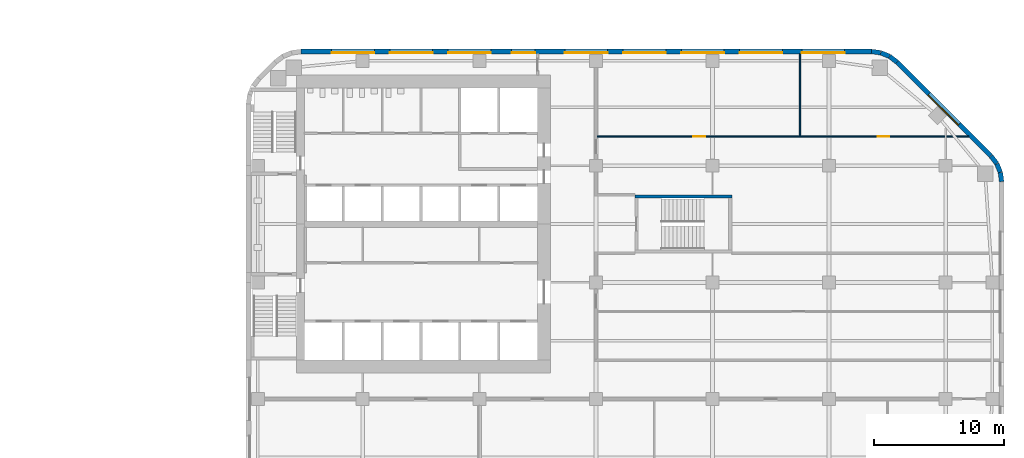
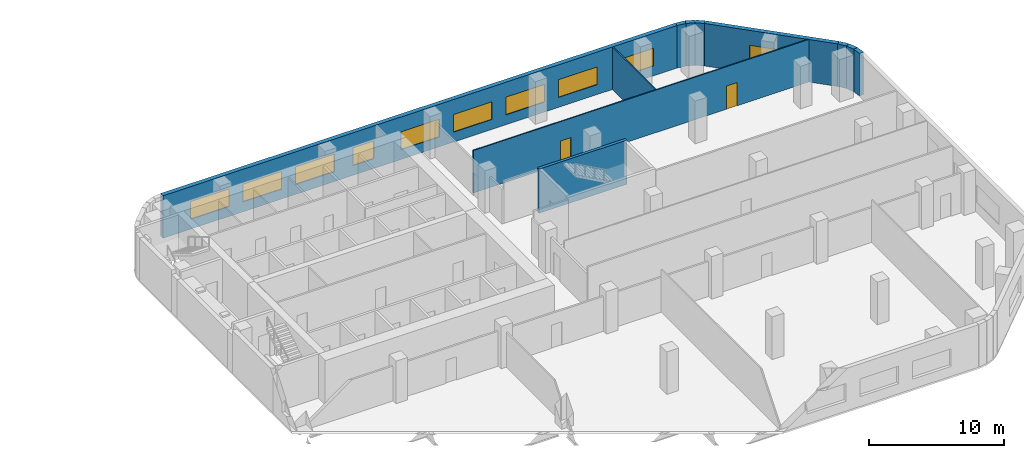
# One storey, part 11 of 15: 11 walls, 10 windows, 2 doors, 12 openings.
"""IFC4 building model written with IfcOpenShell, lengths in metres."""

import ifcopenshell
import ifcopenshell.guid

model = None  # the IFC model being written
_history = None  # IfcOwnerHistory: only IFC2X3 demands one
_inside = {}  # id of a spatial element -> (the spatial element, [elements in it])
_under = {}  # id of a project, library or spatial element -> (it, [spatial elements below it])
_declared = {}  # id of a project -> (the project, [libraries it declares])
_typed = {}  # id of a type object -> (the type object, [elements of that type])
_made_of = {}  # id of a material, layer set ... -> (it, [elements and type objects made of it])


def new_model(schema):
    """Start an empty IFC model of exactly this schema.

    Asked for "IFC4X3", IfcOpenShell would pick the latest addendum, in which some entities
    have other attributes; the version numbers below select the first issue.
    IFC2X3 requires an IfcOwnerHistory on every rooted entity: one is made here for all.
    """
    global model, _history
    if schema == "IFC4X3":
        model = ifcopenshell.file(schema_version=(4, 3, 0, 0))
    else:
        model = ifcopenshell.file(schema=schema)
    _inside.clear()
    _under.clear()
    _declared.clear()
    _typed.clear()
    _made_of.clear()
    _history = None
    if model.schema == "IFC2X3":
        org = make("IfcOrganization", Name="unknown")
        user = make(
            "IfcPersonAndOrganization",
            ThePerson=make("IfcPerson", FamilyName="unknown"),
            TheOrganization=org,
        )
        app = make(
            "IfcApplication",
            ApplicationDeveloper=org,
            Version="unknown",
            ApplicationFullName="unknown",
            ApplicationIdentifier="unknown",
        )
        _history = make(
            "IfcOwnerHistory",
            OwningUser=user,
            OwningApplication=app,
            ChangeAction="ADDED",
            CreationDate=0,
        )
    return model


def make(cls, **values):
    """One entity of the class cls with the attributes given. An attribute that is None is left unset."""
    return model.create_entity(
        cls, **{name: value for name, value in values.items() if value is not None}
    )


def rooted(cls, **values):
    """An entity with a GlobalId (a new one), such as an element, a storey or a relation."""
    return make(cls, GlobalId=ifcopenshell.guid.new(), OwnerHistory=_history, **values)


def si_unit(unit_type, name, prefix=None):
    """IfcSIUnit, for example si_unit("LENGTHUNIT", "METRE", prefix="MILLI")."""
    return make("IfcSIUnit", UnitType=unit_type, Prefix=prefix, Name=name)


def assignment(units):
    """IfcUnitAssignment: the units of a project."""
    return None if units is None else make("IfcUnitAssignment", Units=units)


def point(xyz):
    """IfcCartesianPoint."""
    return None if xyz is None else make("IfcCartesianPoint", Coordinates=xyz)


def direction(xyz):
    """IfcDirection."""
    return None if xyz is None else make("IfcDirection", DirectionRatios=xyz)


def frame(location, z_axis=None, x_axis=None):
    """IfcAxis2Placement3D, a coordinate frame: its origin and axes. An axis left out is left unset."""
    return make(
        "IfcAxis2Placement3D",
        Location=point(location),
        Axis=direction(z_axis),
        RefDirection=direction(x_axis),
    )


def frame_2d(location, x_axis=None):
    """IfcAxis2Placement2D, a coordinate frame in the plane: its origin and x axis."""
    return make(
        "IfcAxis2Placement2D", Location=point(location), RefDirection=direction(x_axis)
    )


def origin():
    """The frame at (0, 0, 0) with its axes left unset."""
    return frame((0.0, 0.0, 0.0))


def place(relative_to, where):
    """IfcLocalPlacement: puts the frame where relative to a parent placement (None: the world)."""
    return make(
        "IfcLocalPlacement", PlacementRelTo=relative_to, RelativePlacement=where
    )


def context(
    kind, dimensions, precision=None, world=None, true_north=None, identifier=None
):
    """IfcGeometricRepresentationContext, for example the 3D "Model" context."""
    return make(
        "IfcGeometricRepresentationContext",
        ContextIdentifier=identifier,
        ContextType=kind,
        CoordinateSpaceDimension=dimensions,
        Precision=precision,
        WorldCoordinateSystem=world,
        TrueNorth=true_north,
    )


def subcontext(parent, identifier, kind, view, scale=None):
    """IfcGeometricRepresentationSubContext, for example "Body" below "Model"."""
    return make(
        "IfcGeometricRepresentationSubContext",
        ContextIdentifier=identifier,
        ContextType=kind,
        ParentContext=parent,
        TargetScale=scale,
        TargetView=view,
    )


def project(units=None, contexts=None):
    """IfcProject with its units and contexts."""
    return rooted(
        "IfcProject",
        Name="project",
        RepresentationContexts=contexts,
        UnitsInContext=assignment(units),
    )


def spatial(cls, under=None, at=None, **own):
    """A site, building, storey or space (cls), placed at a placement, below another one or the project."""
    s = rooted(cls, ObjectPlacement=at, **own)
    if under is not None:
        _under.setdefault(under.id(), (under, []))[1].append(s)
    return s


def profile(cls, at=None, kind="AREA", **sizes):
    """A parametric profile (cls). Its sizes go by their IFC names, for example OverallWidth=200.0."""
    return make(cls, ProfileType=kind, Position=at, **sizes)


def rectangle(**sizes):
    """IfcRectangleProfileDef."""
    return profile("IfcRectangleProfileDef", **sizes)


def extrude(swept, where, along, depth):
    """IfcExtrudedAreaSolid: the profile swept, set in the frame where, extruded along a direction by depth."""
    return make(
        "IfcExtrudedAreaSolid",
        SweptArea=swept,
        Position=where,
        ExtrudedDirection=direction(along),
        Depth=depth,
    )


def shape(context_of_items, identifier, shape_type, items):
    """IfcShapeRepresentation: the items that make up one representation, for example the "Body"."""
    return make(
        "IfcShapeRepresentation",
        ContextOfItems=context_of_items,
        RepresentationIdentifier=identifier,
        RepresentationType=shape_type,
        Items=items,
    )


def material(Name=None, Category=None):
    """IfcMaterial."""
    return make("IfcMaterial", Name=Name, Category=Category)


def layer(
    of_material, thickness, ventilated=None, Name=None, Category=None, Priority=None
):
    """IfcMaterialLayer: one layer of a wall or slab, of a material (None: an air gap)."""
    return make(
        "IfcMaterialLayer",
        Material=of_material,
        LayerThickness=thickness,
        IsVentilated=ventilated,
        Name=Name,
        Category=Category,
        Priority=Priority,
    )


def layer_set(layers, Name=None):
    """IfcMaterialLayerSet."""
    return make("IfcMaterialLayerSet", MaterialLayers=layers, LayerSetName=Name)


def made_of(thing, what):
    """Note that an element or type object is made of a material, layer set ...; save() writes the relation."""
    if what is not None:
        _made_of.setdefault(what.id(), (what, []))[1].append(thing)
    return thing


def type_object(cls, material=None, **own):
    """A type object (cls), such as IfcWallType, which elements share."""
    return made_of(rooted(cls, **own), material)


def element(
    cls,
    number,
    at=None,
    inside=None,
    cuts=None,
    type_object=None,
    material=None,
    context=None,
    identifier="Body",
    shape_type=None,
    held_by="IfcProductDefinitionShape",
    body=None,
    shapes=None,
    **own,
):
    """One element of the class cls, such as IfcWall. Its Tag is "e" and its number.

    at: its placement. inside: the storey or other place that contains it. cuts: it is an
    opening in that element (IfcRelVoidsElement). A single representation is given by context,
    identifier, shape_type and body (its items); several are given by shapes. held_by: the class
    of the entity that holds the representations. save() writes the other relations.
    """
    e = rooted(cls, Tag="e%d" % number, ObjectPlacement=at, **own)
    if body is not None:
        shapes = [shape(context, identifier, shape_type, body)]
    if shapes is not None:
        e.Representation = make(held_by, Representations=shapes)
    if inside is not None:
        _inside.setdefault(inside.id(), (inside, []))[1].append(e)
    if cuts is not None:
        rooted(
            "IfcRelVoidsElement", RelatingBuildingElement=cuts, RelatedOpeningElement=e
        )
    if type_object is not None:
        _typed.setdefault(type_object.id(), (type_object, []))[1].append(e)
    return made_of(e, material)


def fill(opening, filler):
    """IfcRelFillsElement: the door or window that sits in an opening."""
    return rooted(
        "IfcRelFillsElement",
        RelatingOpeningElement=opening,
        RelatedBuildingElement=filler,
    )


def aggregate(whole, parts):
    """IfcRelAggregates: a whole, such as a stair, and the parts it consists of."""
    return rooted("IfcRelAggregates", RelatingObject=whole, RelatedObjects=parts)


def save(model, path):
    """Write the relations noted so far, then the file.

    IfcRelAggregates (storeys below a building ...), IfcRelContainedInSpatialStructure (elements
    in a storey), IfcRelDefinesByType, IfcRelAssociatesMaterial and IfcRelDeclares: one each for
    every whole, place, type object, material and project.
    """
    for whole, parts in _under.values():
        aggregate(whole, parts)
    for where, things in _inside.values():
        rooted(
            "IfcRelContainedInSpatialStructure",
            RelatedElements=things,
            RelatingStructure=where,
        )
    for kind, things in _typed.values():
        rooted("IfcRelDefinesByType", RelatedObjects=things, RelatingType=kind)
    for what, things in _made_of.values():
        rooted("IfcRelAssociatesMaterial", RelatedObjects=things, RelatingMaterial=what)
    for by, libraries in _declared.values():
        rooted("IfcRelDeclares", RelatingContext=by, RelatedDefinitions=libraries)
    model.write(path)


model = new_model("IFC4")

# Units and contexts
model_context = context("Model", 3, precision=1e-05, world=origin(), true_north=direction((0.0, 1.0)))
body_context = subcontext(model_context, "Body", "Model", "MODEL_VIEW")
ifc_project = project(units=[si_unit("LENGTHUNIT", "METRE"), si_unit("AREAUNIT", "SQUARE_METRE"), si_unit("VOLUMEUNIT", "CUBIC_METRE"), si_unit("PLANEANGLEUNIT", "RADIAN"), si_unit("MASSUNIT", "GRAM", prefix="KILO")], contexts=[model_context])

# Site, building, storey
site_placement = place(None, origin())
site = spatial("IfcSite", under=ifc_project, at=site_placement, CompositionType="ELEMENT")
building_placement = place(site_placement, origin())
building = spatial("IfcBuilding", under=site, at=building_placement, Name="Cinnabar Reach Civic Tower", CompositionType="ELEMENT")
storey_placement = place(building_placement, frame((0.0, 0.0, 67.0)))
storey = spatial("IfcBuildingStorey", under=building, at=storey_placement, Name="L15", CompositionType="ELEMENT", Elevation=67.0)

# Walls
ifc_material_1 = material(Name="Facing brick with insulated backing", Category="masonry")
ifc_layer_1 = layer(ifc_material_1, 0.36)
ifc_layer_set_1 = layer_set([ifc_layer_1], Name="Brick corner wall")
wall_type_1 = type_object("IfcWallType", Name="Brick corner wall", PredefinedType="STANDARD", material=ifc_layer_set_1)
for number, where, z_axis, x_axis, name in (
    (1, (58.317, 34.7686, 0.0), (0.0, 0.0, 1.0), (-0.13055608231, 0.99144092581, 0.0), "Brick corner wall"),
    (2, (58.2181, 35.4973, 0.0), (0.0, 0.0, 1.0), (-0.382702709855, 0.923871547278, 0.0), "Brick corner wall"),
):
    element("IfcWall", number, at=place(storey_placement, frame(where, z_axis=z_axis, x_axis=x_axis)), inside=storey, type_object=wall_type_1, Name=name, PredefinedType="STANDARD", context=body_context, shape_type="SweptSolid", body=[
        extrude(rectangle(XDim=0.7131, YDim=0.36, at=frame_2d((0.3565, 0.0))), origin(), (0.0, 0.0, 1.0), 3.85),
    ])
for number, where, z_axis, x_axis, name in (
    (3, (57.934, 36.1755, 0.0), (0.0, 0.0, 1.0), (-0.608802368033, 0.793321924995, 0.0), "Brick corner wall"),
    (4, (50.2413, 43.9998, 0.0), (0.0, 0.0, 1.0), (-0.793321924995, 0.608802368033, 0.0), "Brick corner wall"),
):
    element("IfcWall", number, at=place(storey_placement, frame(where, z_axis=z_axis, x_axis=x_axis)), inside=storey, type_object=wall_type_1, Name=name, PredefinedType="STANDARD", context=body_context, shape_type="SweptSolid", body=[
        extrude(rectangle(XDim=0.7132, YDim=0.36, at=frame_2d((0.3566, 0.0))), origin(), (0.0, 0.0, 1.0), 3.85),
    ])
for number, where, z_axis, x_axis, name in (
    (5, (49.6561, 44.4452, 0.0), (0.0, 0.0, 1.0), (-0.923871547278, 0.382702709855, 0.0), "Brick corner wall"),
    (6, (48.9756, 44.7239, 0.0), (0.0, 0.0, 1.0), (-0.99144092581, 0.13055608231, 0.0), "Brick corner wall"),
):
    element("IfcWall", number, at=place(storey_placement, frame(where, z_axis=z_axis, x_axis=x_axis)), inside=storey, type_object=wall_type_1, Name=name, PredefinedType="STANDARD", context=body_context, shape_type="SweptSolid", body=[
        extrude(rectangle(XDim=0.7131, YDim=0.36, at=frame_2d((0.3565, 0.0))), origin(), (0.0, 0.0, 1.0), 3.85),
    ])

# Wall, opening, window
ifc_layer_2 = layer(ifc_material_1, 0.36)
ifc_layer_set_2 = layer_set([ifc_layer_2], Name="Brick pier and spandrel wall")
wall_type_2 = type_object("IfcWallType", Name="Brick pier and spandrel wall", PredefinedType="STANDARD", material=ifc_layer_set_2)
wall_1_placement = place(storey_placement, frame((57.494, 36.7514, 0.0), z_axis=(0.0, 0.0, 1.0), x_axis=(-0.707106781187, 0.707106781187, 0.0)))
wall_1 = element("IfcWall", 7, at=wall_1_placement, inside=storey, type_object=wall_type_2, Name="Brick facade wall", PredefinedType="STANDARD", context=body_context, shape_type="SweptSolid", body=[
    extrude(rectangle(XDim=10.2426, YDim=0.36, at=frame_2d((5.1213, 0.0))), origin(), (0.0, 0.0, 1.0), 3.85),
])
opening_1_placement = place(wall_1_placement, frame((3.4713, 0.0, 0.9)))
opening_1 = element("IfcOpeningElement", 8, at=opening_1_placement, cuts=wall_1, Name="Opening W1281", PredefinedType="OPENING", context=body_context, shape_type="SweptSolid", body=[
    extrude(rectangle(XDim=3.3, YDim=1.6, at=frame_2d((1.65, 0.8))), frame((0.0, 0.19, 0.0), z_axis=(0.0, -1.0, 0.0), x_axis=(1.0, 0.0, 0.0)), (0.0, 0.0, 1.0), 0.38),
])
ifc_material_2 = material(Name="Clear double glazing in aluminium frame", Category="aluminium")
window_type_1 = type_object("IfcWindowType", Name="Deep-set window A", PartitioningType="SINGLE_PANEL", PredefinedType="WINDOW", material=ifc_material_2)
window_1_placement = place(opening_1_placement, origin())
window_1 = element("IfcWindow", 9, at=window_1_placement, inside=storey, type_object=window_type_1, Name="Window northeast face", OverallHeight=1.6, OverallWidth=3.3, PartitioningType="SINGLE_PANEL", PredefinedType="WINDOW", context=body_context, shape_type="SweptSolid", body=[
    extrude(rectangle(XDim=3.3, YDim=1.6, at=frame_2d((1.65, 0.8))), frame((0.0, 0.13, 0.0), z_axis=(0.0, -1.0, 0.0), x_axis=(1.0, 0.0, 0.0)), (0.0, 0.0, 1.0), 0.06),
])
fill(opening_1, window_1)

# Wall, openings, windows
wall_2_placement = place(storey_placement, frame((48.2574, 44.82, 0.0), z_axis=(0.0, 0.0, 1.0), x_axis=(-1.0, 0.0, 0.0)))
wall_2 = element("IfcWall", 10, at=wall_2_placement, inside=storey, type_object=wall_type_2, Name="Brick facade wall", PredefinedType="STANDARD", context=body_context, shape_type="SweptSolid", body=[
    extrude(rectangle(XDim=44.0148, YDim=0.36, at=frame_2d((22.0074, 0.0))), origin(), (0.0, 0.0, 1.0), 3.85),
])
opening_2_placement = place(wall_2_placement, frame((2.0574, 0.0, 0.9)))
opening_2 = element("IfcOpeningElement", 11, at=opening_2_placement, cuts=wall_2, Name="Opening W1282", PredefinedType="OPENING", context=body_context, shape_type="SweptSolid", body=[
    extrude(rectangle(XDim=3.3, YDim=1.6, at=frame_2d((1.65, 0.8))), frame((0.0, 0.19, 0.0), z_axis=(0.0, -1.0, 0.0), x_axis=(1.0, 0.0, 0.0)), (0.0, 0.0, 1.0), 0.38),
])
opening_3_placement = place(wall_2_placement, frame((6.8574, 0.0, 0.9)))
opening_3 = element("IfcOpeningElement", 12, at=opening_3_placement, cuts=wall_2, Name="Opening W1283", PredefinedType="OPENING", context=body_context, shape_type="SweptSolid", body=[
    extrude(rectangle(XDim=3.3, YDim=1.6, at=frame_2d((1.65, 0.8))), frame((0.0, 0.19, 0.0), z_axis=(0.0, -1.0, 0.0), x_axis=(1.0, 0.0, 0.0)), (0.0, 0.0, 1.0), 0.38),
])
opening_4_placement = place(wall_2_placement, frame((11.3574, 0.0, 0.9)))
opening_4 = element("IfcOpeningElement", 13, at=opening_4_placement, cuts=wall_2, Name="Opening W1284", PredefinedType="OPENING", context=body_context, shape_type="SweptSolid", body=[
    extrude(rectangle(XDim=3.3, YDim=1.6, at=frame_2d((1.65, 0.8))), frame((0.0, 0.19, 0.0), z_axis=(0.0, -1.0, 0.0), x_axis=(1.0, 0.0, 0.0)), (0.0, 0.0, 1.0), 0.38),
])
opening_5_placement = place(wall_2_placement, frame((15.8574, 0.0, 0.9)))
opening_5 = element("IfcOpeningElement", 14, at=opening_5_placement, cuts=wall_2, Name="Opening W1285", PredefinedType="OPENING", context=body_context, shape_type="SweptSolid", body=[
    extrude(rectangle(XDim=3.3, YDim=1.6, at=frame_2d((1.65, 0.8))), frame((0.0, 0.19, 0.0), z_axis=(0.0, -1.0, 0.0), x_axis=(1.0, 0.0, 0.0)), (0.0, 0.0, 1.0), 0.38),
])
opening_6_placement = place(wall_2_placement, frame((20.3574, 0.0, 0.9)))
opening_6 = element("IfcOpeningElement", 15, at=opening_6_placement, cuts=wall_2, Name="Opening W1286", PredefinedType="OPENING", context=body_context, shape_type="SweptSolid", body=[
    extrude(rectangle(XDim=3.3, YDim=1.6, at=frame_2d((1.65, 0.8))), frame((0.0, 0.19, 0.0), z_axis=(0.0, -1.0, 0.0), x_axis=(1.0, 0.0, 0.0)), (0.0, 0.0, 1.0), 0.38),
])
opening_7_placement = place(wall_2_placement, frame((25.9574, 0.0, 0.9)))
opening_7 = element("IfcOpeningElement", 16, at=opening_7_placement, cuts=wall_2, Name="Opening W1287", PredefinedType="OPENING", context=body_context, shape_type="SweptSolid", body=[
    extrude(rectangle(XDim=1.8, YDim=1.6, at=frame_2d((0.9, 0.8))), frame((0.0, 0.19, 0.0), z_axis=(0.0, -1.0, 0.0), x_axis=(1.0, 0.0, 0.0)), (0.0, 0.0, 1.0), 0.38),
])
opening_8_placement = place(wall_2_placement, frame((29.3574, 0.0, 0.9)))
opening_8 = element("IfcOpeningElement", 17, at=opening_8_placement, cuts=wall_2, Name="Opening W1288", PredefinedType="OPENING", context=body_context, shape_type="SweptSolid", body=[
    extrude(rectangle(XDim=3.3, YDim=1.6, at=frame_2d((1.65, 0.8))), frame((0.0, 0.19, 0.0), z_axis=(0.0, -1.0, 0.0), x_axis=(1.0, 0.0, 0.0)), (0.0, 0.0, 1.0), 0.38),
])
opening_9_placement = place(wall_2_placement, frame((33.8574, 0.0, 0.9)))
opening_9 = element("IfcOpeningElement", 18, at=opening_9_placement, cuts=wall_2, Name="Opening W1289", PredefinedType="OPENING", context=body_context, shape_type="SweptSolid", body=[
    extrude(rectangle(XDim=3.3, YDim=1.6, at=frame_2d((1.65, 0.8))), frame((0.0, 0.19, 0.0), z_axis=(0.0, -1.0, 0.0), x_axis=(1.0, 0.0, 0.0)), (0.0, 0.0, 1.0), 0.38),
])
opening_10_placement = place(wall_2_placement, frame((38.3574, 0.0, 0.9)))
opening_10 = element("IfcOpeningElement", 19, at=opening_10_placement, cuts=wall_2, Name="Opening W1290", PredefinedType="OPENING", context=body_context, shape_type="SweptSolid", body=[
    extrude(rectangle(XDim=3.3, YDim=1.6, at=frame_2d((1.65, 0.8))), frame((0.0, 0.19, 0.0), z_axis=(0.0, -1.0, 0.0), x_axis=(1.0, 0.0, 0.0)), (0.0, 0.0, 1.0), 0.38),
])
window_2_placement = place(opening_2_placement, origin())
window_2 = element("IfcWindow", 20, at=window_2_placement, inside=storey, type_object=window_type_1, Name="Window north face", OverallHeight=1.6, OverallWidth=3.3, PartitioningType="SINGLE_PANEL", PredefinedType="WINDOW", context=body_context, shape_type="SweptSolid", body=[
    extrude(rectangle(XDim=3.3, YDim=1.6, at=frame_2d((1.65, 0.8))), frame((0.0, 0.13, 0.0), z_axis=(0.0, -1.0, 0.0), x_axis=(1.0, 0.0, 0.0)), (0.0, 0.0, 1.0), 0.06),
])
fill(opening_2, window_2)
window_3_placement = place(opening_3_placement, origin())
window_3 = element("IfcWindow", 21, at=window_3_placement, inside=storey, type_object=window_type_1, Name="Window north face", OverallHeight=1.6, OverallWidth=3.3, PartitioningType="SINGLE_PANEL", PredefinedType="WINDOW", context=body_context, shape_type="SweptSolid", body=[
    extrude(rectangle(XDim=3.3, YDim=1.6, at=frame_2d((1.65, 0.8))), frame((0.0, 0.13, 0.0), z_axis=(0.0, -1.0, 0.0), x_axis=(1.0, 0.0, 0.0)), (0.0, 0.0, 1.0), 0.06),
])
fill(opening_3, window_3)
window_4_placement = place(opening_4_placement, origin())
window_4 = element("IfcWindow", 22, at=window_4_placement, inside=storey, type_object=window_type_1, Name="Window north face", OverallHeight=1.6, OverallWidth=3.3, PartitioningType="SINGLE_PANEL", PredefinedType="WINDOW", context=body_context, shape_type="SweptSolid", body=[
    extrude(rectangle(XDim=3.3, YDim=1.6, at=frame_2d((1.65, 0.8))), frame((0.0, 0.13, 0.0), z_axis=(0.0, -1.0, 0.0), x_axis=(1.0, 0.0, 0.0)), (0.0, 0.0, 1.0), 0.06),
])
fill(opening_4, window_4)
window_5_placement = place(opening_5_placement, origin())
window_5 = element("IfcWindow", 23, at=window_5_placement, inside=storey, type_object=window_type_1, Name="Window north face", OverallHeight=1.6, OverallWidth=3.3, PartitioningType="SINGLE_PANEL", PredefinedType="WINDOW", context=body_context, shape_type="SweptSolid", body=[
    extrude(rectangle(XDim=3.3, YDim=1.6, at=frame_2d((1.65, 0.8))), frame((0.0, 0.13, 0.0), z_axis=(0.0, -1.0, 0.0), x_axis=(1.0, 0.0, 0.0)), (0.0, 0.0, 1.0), 0.06),
])
fill(opening_5, window_5)
window_6_placement = place(opening_6_placement, origin())
window_6 = element("IfcWindow", 24, at=window_6_placement, inside=storey, type_object=window_type_1, Name="Window north face", OverallHeight=1.6, OverallWidth=3.3, PartitioningType="SINGLE_PANEL", PredefinedType="WINDOW", context=body_context, shape_type="SweptSolid", body=[
    extrude(rectangle(XDim=3.3, YDim=1.6, at=frame_2d((1.65, 0.8))), frame((0.0, 0.13, 0.0), z_axis=(0.0, -1.0, 0.0), x_axis=(1.0, 0.0, 0.0)), (0.0, 0.0, 1.0), 0.06),
])
fill(opening_6, window_6)
window_7_placement = place(opening_8_placement, origin())
window_7 = element("IfcWindow", 25, at=window_7_placement, inside=storey, type_object=window_type_1, Name="Window north face", OverallHeight=1.6, OverallWidth=3.3, PartitioningType="SINGLE_PANEL", PredefinedType="WINDOW", context=body_context, shape_type="SweptSolid", body=[
    extrude(rectangle(XDim=3.3, YDim=1.6, at=frame_2d((1.65, 0.8))), frame((0.0, 0.13, 0.0), z_axis=(0.0, -1.0, 0.0), x_axis=(1.0, 0.0, 0.0)), (0.0, 0.0, 1.0), 0.06),
])
fill(opening_8, window_7)
window_8_placement = place(opening_9_placement, origin())
window_8 = element("IfcWindow", 26, at=window_8_placement, inside=storey, type_object=window_type_1, Name="Window north face", OverallHeight=1.6, OverallWidth=3.3, PartitioningType="SINGLE_PANEL", PredefinedType="WINDOW", context=body_context, shape_type="SweptSolid", body=[
    extrude(rectangle(XDim=3.3, YDim=1.6, at=frame_2d((1.65, 0.8))), frame((0.0, 0.13, 0.0), z_axis=(0.0, -1.0, 0.0), x_axis=(1.0, 0.0, 0.0)), (0.0, 0.0, 1.0), 0.06),
])
fill(opening_9, window_8)
window_9_placement = place(opening_10_placement, origin())
window_9 = element("IfcWindow", 27, at=window_9_placement, inside=storey, type_object=window_type_1, Name="Window north face", OverallHeight=1.6, OverallWidth=3.3, PartitioningType="SINGLE_PANEL", PredefinedType="WINDOW", context=body_context, shape_type="SweptSolid", body=[
    extrude(rectangle(XDim=3.3, YDim=1.6, at=frame_2d((1.65, 0.8))), frame((0.0, 0.13, 0.0), z_axis=(0.0, -1.0, 0.0), x_axis=(1.0, 0.0, 0.0)), (0.0, 0.0, 1.0), 0.06),
])
fill(opening_10, window_9)
window_type_2 = type_object("IfcWindowType", Name="Deep-set window D", PartitioningType="SINGLE_PANEL", PredefinedType="WINDOW", material=ifc_material_2)
window_10_placement = place(opening_7_placement, origin())
window_10 = element("IfcWindow", 28, at=window_10_placement, inside=storey, type_object=window_type_2, Name="Window north face", OverallHeight=1.6, OverallWidth=1.8, PartitioningType="SINGLE_PANEL", PredefinedType="WINDOW", context=body_context, shape_type="SweptSolid", body=[
    extrude(rectangle(XDim=1.8, YDim=1.6, at=frame_2d((0.9, 0.8))), frame((0.0, 0.13, 0.0), z_axis=(0.0, -1.0, 0.0), x_axis=(1.0, 0.0, 0.0)), (0.0, 0.0, 1.0), 0.06),
])
fill(opening_7, window_10)

# Wall, openings, doors
ifc_material_3 = material(Name="Gypsum board on steel studs", Category="steel")
ifc_layer_3 = layer(ifc_material_3, 0.1)
ifc_layer_set_3 = layer_set([ifc_layer_3], Name="Partition wall 100 T1")
wall_type_3 = type_object("IfcWallType", Name="Partition wall 100 T1", PredefinedType="PARTITIONING", material=ifc_layer_set_3)
wall_3_placement = place(storey_placement, frame((27.075, 38.25, 0.0), z_axis=(0.0, 0.0, 1.0), x_axis=(1.0, 0.0, 0.0)))
wall_3 = element("IfcWall", 29, at=wall_3_placement, inside=storey, type_object=wall_type_3, Name="Partition wall 42", PredefinedType="PARTITIONING", context=body_context, shape_type="SweptSolid", body=[
    extrude(rectangle(XDim=28.7159, YDim=0.1, at=frame_2d((14.358, 0.0))), origin(), (0.0, 0.0, 1.0), 3.85),
])
opening_11_placement = place(wall_3_placement, frame((7.45, 0.0, 0.0)))
opening_11 = element("IfcOpeningElement", 30, at=opening_11_placement, cuts=wall_3, Name="Opening D3622", PredefinedType="OPENING", context=body_context, shape_type="SweptSolid", body=[
    extrude(rectangle(XDim=0.9, YDim=2.1, at=frame_2d((0.45, 1.05))), frame((0.0, 0.06, 0.0), z_axis=(0.0, -1.0, 0.0), x_axis=(1.0, 0.0, 0.0)), (0.0, 0.0, 1.0), 0.12),
])
opening_12_placement = place(wall_3_placement, frame((21.675, 0.0, 0.0)))
opening_12 = element("IfcOpeningElement", 31, at=opening_12_placement, cuts=wall_3, Name="Opening D3623", PredefinedType="OPENING", context=body_context, shape_type="SweptSolid", body=[
    extrude(rectangle(XDim=0.9, YDim=2.1, at=frame_2d((0.45, 1.05))), frame((0.0, 0.06, 0.0), z_axis=(0.0, -1.0, 0.0), x_axis=(1.0, 0.0, 0.0)), (0.0, 0.0, 1.0), 0.12),
])
ifc_material_4 = material(Name="Timber door leaf in steel frame", Category="steel")
door_type = type_object("IfcDoorType", Name="Single swing door 900 x 2100 T1", OperationType="SINGLE_SWING_LEFT", PredefinedType="DOOR", material=ifc_material_4)
door_1_placement = place(opening_11_placement, origin())
door_1 = element("IfcDoor", 32, at=door_1_placement, inside=storey, type_object=door_type, Name="Door D3622", OperationType="SINGLE_SWING_LEFT", OverallHeight=2.1, OverallWidth=0.9, PredefinedType="DOOR", context=body_context, shape_type="SweptSolid", body=[
    extrude(rectangle(XDim=0.9, YDim=2.1, at=frame_2d((0.45, 1.05))), frame((0.0, 0.025, 0.0), z_axis=(0.0, -1.0, 0.0), x_axis=(1.0, 0.0, 0.0)), (0.0, 0.0, 1.0), 0.05),
])
fill(opening_11, door_1)
door_2_placement = place(opening_12_placement, origin())
door_2 = element("IfcDoor", 33, at=door_2_placement, inside=storey, type_object=door_type, Name="Door D3623", OperationType="SINGLE_SWING_RIGHT", OverallHeight=2.1, OverallWidth=0.9, PredefinedType="DOOR", context=body_context, shape_type="SweptSolid", body=[
    extrude(rectangle(XDim=0.9, YDim=2.1, at=frame_2d((0.45, 1.05))), frame((0.0, 0.025, 0.0), z_axis=(0.0, -1.0, 0.0), x_axis=(1.0, 0.0, 0.0)), (0.0, 0.0, 1.0), 0.05),
])
fill(opening_12, door_2)

# Walls
wall_4_placement = place(storey_placement, frame((42.75, 38.3, 0.0), z_axis=(0.0, 0.0, 1.0), x_axis=(0.0, 1.0, 0.0)))
element("IfcWall", 34, at=wall_4_placement, inside=storey, type_object=wall_type_3, Name="Partition wall 47", PredefinedType="PARTITIONING", context=body_context, shape_type="SweptSolid", body=[
    extrude(rectangle(XDim=6.34, YDim=0.1, at=frame_2d((3.17, 0.0))), origin(), (0.0, 0.0, 1.0), 3.85),
])
ifc_material_5 = material(Name="Concrete C60", Category="concrete")
ifc_layer_4 = layer(ifc_material_5, 0.25)
ifc_layer_set_4 = layer_set([ifc_layer_4], Name="Stair shaft wall 250 EI 120")
wall_type_4 = type_object("IfcWallType", Name="Stair shaft wall 250 EI 120", PredefinedType="SOLIDWALL", material=ifc_layer_set_4)
wall_5_placement = place(storey_placement, frame((37.5, 33.625, 0.0), z_axis=(0.0, 0.0, 1.0), x_axis=(-1.0, 0.0, 0.0)))
element("IfcWall", 35, at=wall_5_placement, inside=storey, type_object=wall_type_4, Name="Stair shaft wall T1-S3 L15", PredefinedType="SOLIDWALL", context=body_context, shape_type="SweptSolid", body=[
    extrude(rectangle(XDim=7.5, YDim=0.25, at=frame_2d((3.75, 0.0))), origin(), (0.0, 0.0, 1.0), 4.0),
])

save(model, "model.ifc")
